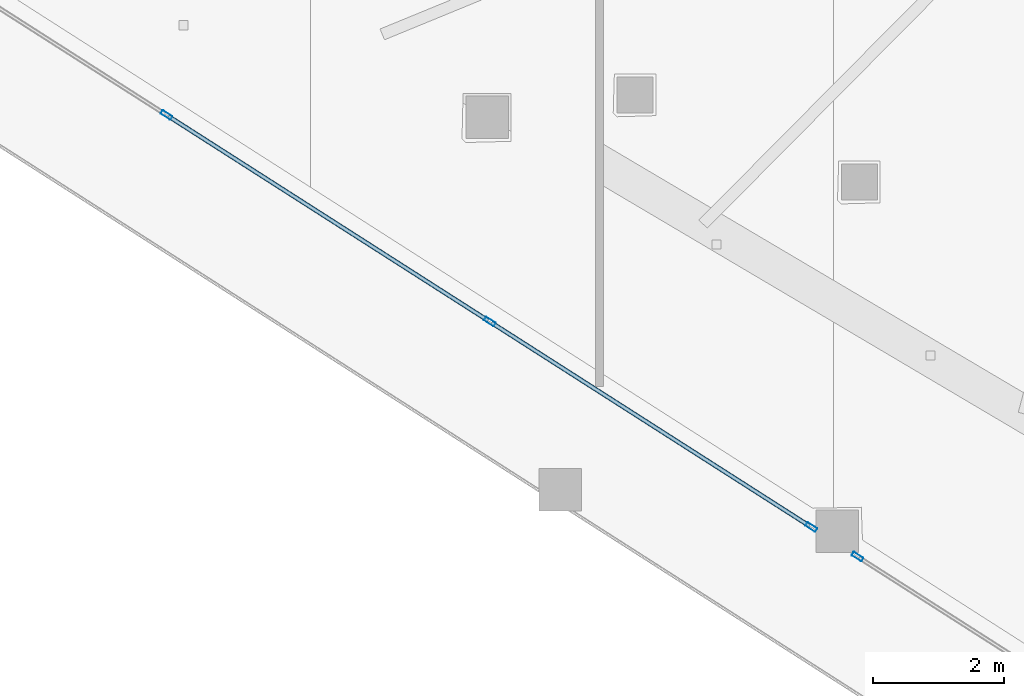
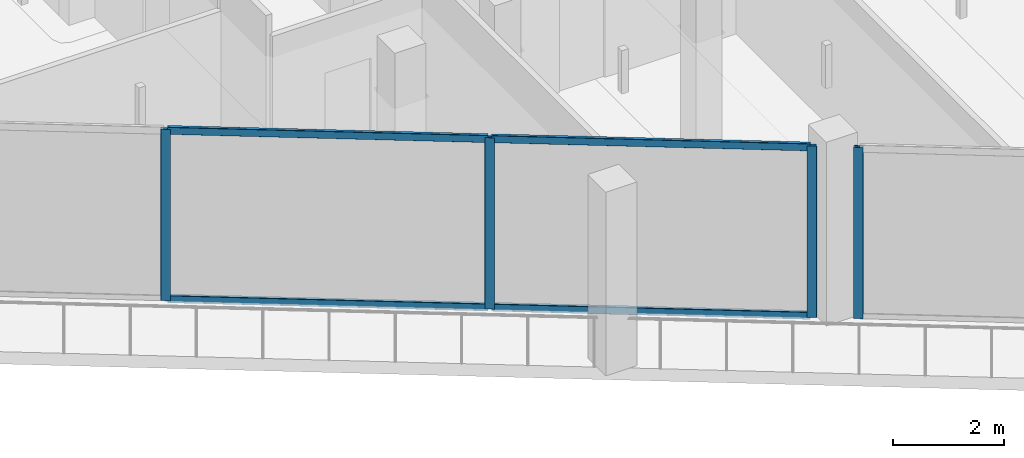
# One storey, part 2 of 35: 8 members, 2 elements without a shape of their own.
"""IFC4 building model written with IfcOpenShell, lengths in metres."""

from ifc_helpers import new_model, si_unit, direction, frame, origin, origin_2d, place, context, subcontext, project, spatial, hollow_rectangle, extrude, material, layer, layer_set, material_profile, profile_set, type_object, element, aggregate, save


model = new_model("IFC4")

# Units and contexts
model_context = context("Model", 3, precision=1e-05, world=origin(), true_north=direction((0.0, 1.0)))
body_context = subcontext(model_context, "Body", "Model", "MODEL_VIEW")
ifc_project = project(units=[si_unit("LENGTHUNIT", "METRE"), si_unit("AREAUNIT", "SQUARE_METRE"), si_unit("VOLUMEUNIT", "CUBIC_METRE"), si_unit("PLANEANGLEUNIT", "RADIAN"), si_unit("MASSUNIT", "GRAM", prefix="KILO")], contexts=[model_context])

# Site, building, storey
site_placement = place(None, origin())
site = spatial("IfcSite", under=ifc_project, at=site_placement, CompositionType="ELEMENT")
building_placement = place(site_placement, origin())
building = spatial("IfcBuilding", under=site, at=building_placement, Name="Qorvath Tower", CompositionType="ELEMENT")
storey_placement = place(building_placement, frame((0.0, 0.0, 166.5)))
storey = spatial("IfcBuildingStorey", under=building, at=storey_placement, Name="L38", CompositionType="ELEMENT", Elevation=166.5)

# Curtain wall, members
ifc_material_1 = material(Name="Anodised aluminium and triple low-E glass", Category="aluminium")
ifc_layer = layer(ifc_material_1, 0.179931640625)
ifc_layer_set = layer_set([ifc_layer], Name="CW-SYS-3")
curtain_wall_type = type_object("IfcCurtainWallType", Name="CW-SYS-3", PredefinedType="NOTDEFINED", material=ifc_layer_set)
curtain_wall_1_placement = place(storey_placement, origin())
curtain_wall_1 = element("IfcCurtainWall", 1, at=curtain_wall_1_placement, inside=storey, type_object=curtain_wall_type, Name="Curtain Wall CW-3 CW-T-L38-2.1", PredefinedType="NOTDEFINED")
ifc_material_2 = material(Name="Anodised aluminium 6063-T6", Category="aluminium")
ifc_material_profile_1 = material_profile(ifc_material_2, hollow_rectangle(XDim=0.06494140625, YDim=0.179931640625, WallThickness=0.00341796875, InnerFilletRadius=0.00341796875, OuterFilletRadius=0.007080078125, at=origin_2d()), Name="CWM 180x65")
ifc_profile_set_1 = profile_set([ifc_material_profile_1], Name="Anodised aluminium 6063-T6")
member_type_1 = type_object("IfcMemberType", Name="CWM-180", PredefinedType="MULLION", material=ifc_profile_set_1)
member_1_placement = place(storey_placement, frame((-41.26416015625, -13.1005859375, 0.0), z_axis=(0.0, 0.0, 1.0), x_axis=(0.538529198867, 0.842606848992, 0.0)))
member_1 = element("IfcMember", 2, at=member_1_placement, type_object=member_type_1, Name="CW-3 mullion 4", PredefinedType="MULLION", context=body_context, shape_type="SweptSolid", body=[
    extrude(hollow_rectangle(XDim=0.06494140625, YDim=0.179931640625, WallThickness=0.00341796875, InnerFilletRadius=0.00341796875, OuterFilletRadius=0.007080078125, at=origin_2d()), origin(), (0.0, 0.0, 1.0), 3.780029296875),
])
member_2_placement = place(storey_placement, frame((-36.324951171875, -16.257080078125, 0.0), z_axis=(0.0, 0.0, 1.0), x_axis=(0.538529198867, 0.842606848992, 0.0)))
member_2 = element("IfcMember", 3, at=member_2_placement, type_object=member_type_1, Name="CW-3 mullion 5", PredefinedType="MULLION", context=body_context, shape_type="SweptSolid", body=[
    extrude(hollow_rectangle(XDim=0.06494140625, YDim=0.179931640625, WallThickness=0.00341796875, InnerFilletRadius=0.00341796875, OuterFilletRadius=0.007080078125, at=origin_2d()), origin(), (0.0, 0.0, 1.0), 3.780029296875),
])
member_3_placement = place(storey_placement, frame((-31.413330078125, -19.396240234375, 0.0), z_axis=(0.0, 0.0, 1.0), x_axis=(0.538529198867, 0.842606848992, 0.0)))
member_3 = element("IfcMember", 4, at=member_3_placement, type_object=member_type_1, Name="CW-3 mullion 6", PredefinedType="MULLION", context=body_context, shape_type="SweptSolid", body=[
    extrude(hollow_rectangle(XDim=0.06494140625, YDim=0.179931640625, WallThickness=0.00341796875, InnerFilletRadius=0.00341796875, OuterFilletRadius=0.007080078125, at=origin_2d()), origin(), (0.0, 0.0, 1.0), 3.780029296875),
])

# Curtain wall, member
curtain_wall_2_placement = place(storey_placement, origin())
curtain_wall_2 = element("IfcCurtainWall", 5, at=curtain_wall_2_placement, inside=storey, type_object=curtain_wall_type, Name="Curtain Wall CW-3 CW-T-L38-2.2", PredefinedType="NOTDEFINED")
member_4_placement = place(storey_placement, frame((-30.706787109375, -19.847900390625, 0.0), z_axis=(0.0, 0.0, 1.0), x_axis=(0.53853443311, 0.842603503645, 0.0)))
member_4 = element("IfcMember", 6, at=member_4_placement, type_object=member_type_1, Name="CW-3 mullion 1", PredefinedType="MULLION", context=body_context, shape_type="SweptSolid", body=[
    extrude(hollow_rectangle(XDim=0.06494140625, YDim=0.179931640625, WallThickness=0.00341796875, InnerFilletRadius=0.00341796875, OuterFilletRadius=0.007080078125, at=origin_2d()), origin(), (0.0, 0.0, 1.0), 3.780029296875),
])
aggregate(curtain_wall_2, [member_4])

# Member
ifc_material_3 = material(Name="Anodised aluminium 6063-T6", Category="aluminium")
ifc_material_profile_2 = material_profile(ifc_material_3, hollow_rectangle(XDim=0.06494140625, YDim=0.159912109375, WallThickness=0.00341796875, InnerFilletRadius=0.00341796875, OuterFilletRadius=0.007080078125, at=origin_2d()), Name="CWT 160x65")
ifc_profile_set_2 = profile_set([ifc_material_profile_2], Name="Anodised aluminium 6063-T6")
member_type_2 = type_object("IfcMemberType", Name="CWT-160", PredefinedType="USERDEFINED", material=ifc_profile_set_2)
member_5_placement = place(storey_placement, frame((-41.236572265625, -13.117919921875, 0.032470703125), z_axis=(0.842593271149, -0.538550442776, 0.0), x_axis=(0.538550442776, 0.842593271149, 0.0)))
member_5 = element("IfcMember", 7, at=member_5_placement, type_object=member_type_2, Name="CW-3 transom 4.1", ObjectType="TRANSOM", PredefinedType="USERDEFINED", context=body_context, shape_type="SweptSolid", body=[
    extrude(hollow_rectangle(XDim=0.06494140625, YDim=0.159912109375, WallThickness=0.00341796875, InnerFilletRadius=0.00341796875, OuterFilletRadius=0.007080078125, at=origin_2d()), origin(), (0.0, 0.0, 1.0), 5.796630859375),
])

member_6_placement = place(storey_placement, frame((-41.236572265625, -13.117919921875, 3.74755859375), z_axis=(0.842593271149, -0.538550442776, 0.0), x_axis=(0.538550442776, 0.842593271149, 0.0)))
member_6 = element("IfcMember", 8, at=member_6_placement, type_object=member_type_2, Name="CW-3 transom 4.2", ObjectType="TRANSOM", PredefinedType="USERDEFINED", context=body_context, shape_type="SweptSolid", body=[
    extrude(hollow_rectangle(XDim=0.06494140625, YDim=0.159912109375, WallThickness=0.00341796875, InnerFilletRadius=0.00341796875, OuterFilletRadius=0.007080078125, at=origin_2d()), origin(), (0.0, 0.0, 1.0), 5.796630859375),
])

member_7_placement = place(storey_placement, frame((-36.297607421875, -16.274658203125, 0.032470703125), z_axis=(0.842601233271, -0.538537985374, 0.0), x_axis=(0.538537985374, 0.842601233271, 0.0)))
member_7 = element("IfcMember", 9, at=member_7_placement, type_object=member_type_2, Name="CW-3 transom 5.1", ObjectType="TRANSOM", PredefinedType="USERDEFINED", context=body_context, shape_type="SweptSolid", body=[
    extrude(hollow_rectangle(XDim=0.06494140625, YDim=0.159912109375, WallThickness=0.00341796875, InnerFilletRadius=0.00341796875, OuterFilletRadius=0.007080078125, at=origin_2d()), origin(), (0.0, 0.0, 1.0), 5.76416015625),
])

member_8_placement = place(storey_placement, frame((-36.297607421875, -16.274658203125, 3.74755859375), z_axis=(0.842601233271, -0.538537985374, 0.0), x_axis=(0.538537985374, 0.842601233271, 0.0)))
member_8 = element("IfcMember", 10, at=member_8_placement, type_object=member_type_2, Name="CW-3 transom 5.2", ObjectType="TRANSOM", PredefinedType="USERDEFINED", context=body_context, shape_type="SweptSolid", body=[
    extrude(hollow_rectangle(XDim=0.06494140625, YDim=0.159912109375, WallThickness=0.00341796875, InnerFilletRadius=0.00341796875, OuterFilletRadius=0.007080078125, at=origin_2d()), origin(), (0.0, 0.0, 1.0), 5.76416015625),
])

aggregate(curtain_wall_1, [member_1, member_2, member_3, member_5, member_6, member_7, member_8])

save(model, "model.ifc")
